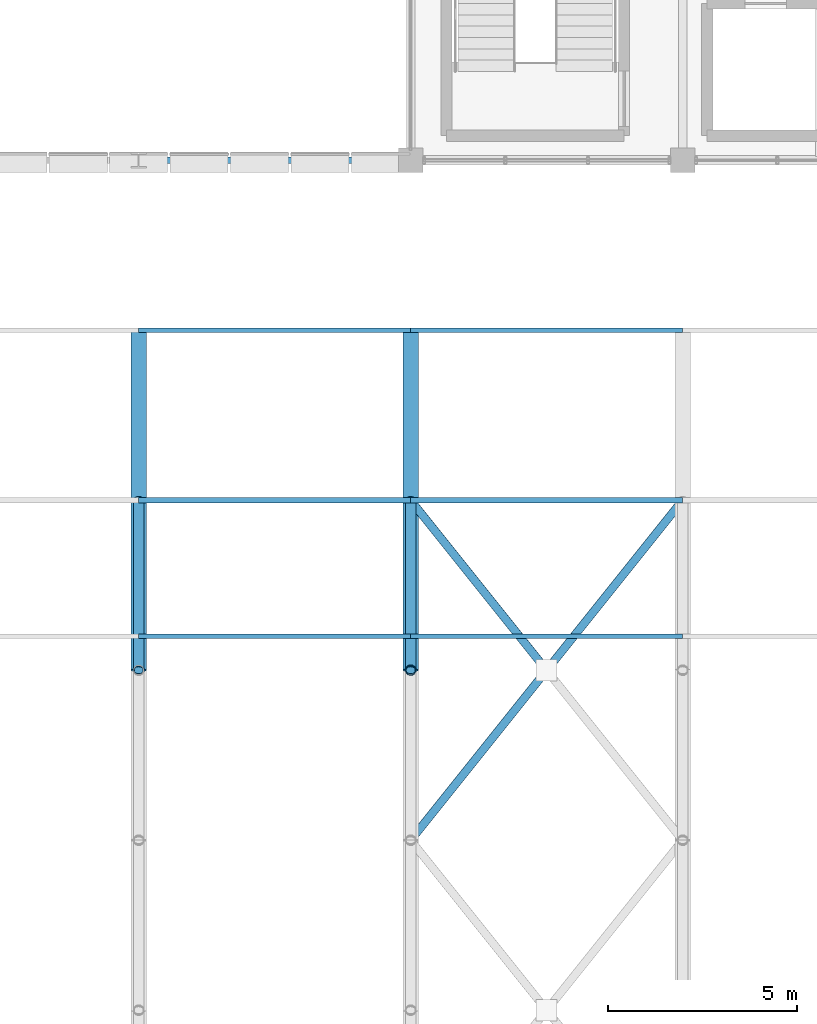
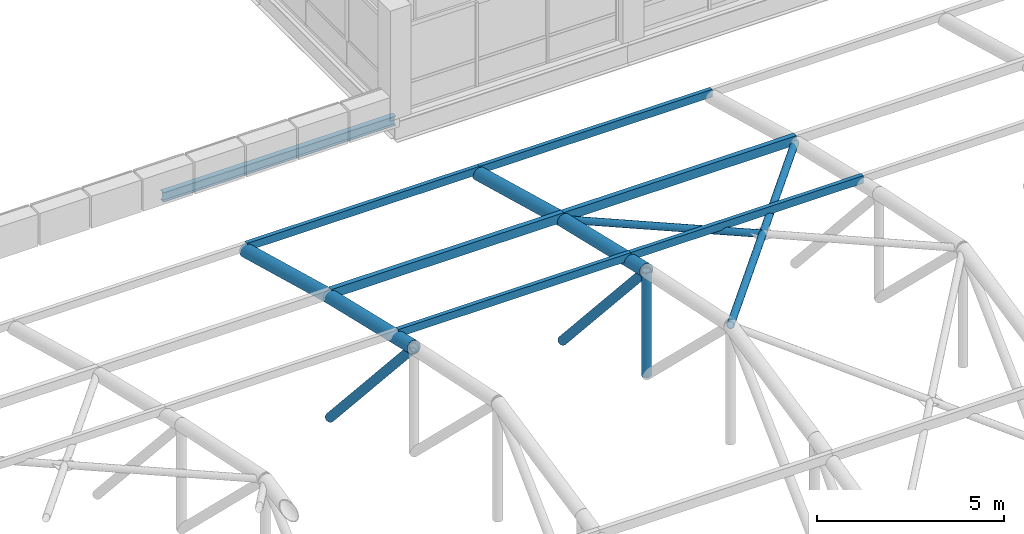
# One storey, part 32 of 96: 15 members, 1 beam.
"""IFC4 building model written with IfcOpenShell, lengths in metres."""

from ifc_helpers import new_model, si_unit, direction, frame, origin, origin_2d, place, context, subcontext, project, spatial, hollow_rectangle, hollow_circle, i_section, extrude, material, material_profile, profile_set, type_object, element, save


model = new_model("IFC4")

# Units and contexts
model_context = context("Model", 3, precision=1e-05, world=origin(), true_north=direction((0.0, 1.0)))
body_context = subcontext(model_context, "Body", "Model", "MODEL_VIEW")
ifc_project = project(units=[si_unit("LENGTHUNIT", "METRE"), si_unit("AREAUNIT", "SQUARE_METRE"), si_unit("VOLUMEUNIT", "CUBIC_METRE"), si_unit("PLANEANGLEUNIT", "RADIAN"), si_unit("MASSUNIT", "GRAM", prefix="KILO")], contexts=[model_context])

# Site, building, storey
site_placement = place(None, origin())
site = spatial("IfcSite", under=ifc_project, at=site_placement, CompositionType="ELEMENT")
building_placement = place(site_placement, origin())
building = spatial("IfcBuilding", under=site, at=building_placement, Name="Yarey Park Central Fire Station", CompositionType="ELEMENT")
storey_placement = place(building_placement, frame((0.0, 0.0, 14.39990234375)))
storey = spatial("IfcBuildingStorey", under=building, at=storey_placement, Name="L04", CompositionType="ELEMENT", Elevation=14.39990234375)

# Members
ifc_material_1 = material(Name="Steel ASTM A500 Gr. C", Category="steel")
ifc_material_profile_1 = material_profile(ifc_material_1, hollow_circle(Radius=0.109619140625, WallThickness=0.010009765625, at=origin_2d()), Name="CHS 219.1x10")
ifc_profile_set_1 = profile_set([ifc_material_profile_1], Name="Steel ASTM A500 Gr. C")
member_type_1 = type_object("IfcMemberType", Name="STR_BRC_CHS219", PredefinedType="BRACE", material=ifc_profile_set_1)
member_1_placement = place(storey_placement, frame((115.199951171875, 75.60009765625, 3.93603515625), z_axis=(0.615531741105, 0.769419894344, -0.170627377286), x_axis=(-0.780870876022, 0.624692464322, 0.0)))
element("IfcMember", 1, at=member_1_placement, inside=storey, type_object=member_type_1, Name="XBR_ARCH_B09_75_1", PredefinedType="BRACE", context=body_context, shape_type="SweptSolid", body=[
    extrude(hollow_circle(Radius=0.109619140625, WallThickness=0.010009765625, at=origin_2d()), origin(), (0.0, 0.0, 1.0), 11.697021484375),
])
member_2_placement = place(storey_placement, frame((118.800048828125, 80.10009765625, 2.93798828125), z_axis=(-0.61554689676, 0.769412749293, -0.170604921135), x_axis=(-0.780860543151, -0.624705380279, 0.0)))
element("IfcMember", 2, at=member_2_placement, inside=storey, type_object=member_type_1, Name="XBR_ARCH_B09_75_2B", PredefinedType="BRACE", context=body_context, shape_type="SweptSolid", body=[
    extrude(hollow_circle(Radius=0.109619140625, WallThickness=0.010009765625, at=origin_2d()), origin(), (0.0, 0.0, 1.0), 5.8486328125),
])
ifc_material_profile_2 = material_profile(ifc_material_1, hollow_circle(Radius=0.203125, WallThickness=0.01611328125, at=origin_2d()), Name="CHS 406.4x16")
ifc_profile_set_2 = profile_set([ifc_material_profile_2], Name="Steel ASTM A500 Gr. C")
member_type_2 = type_object("IfcMemberType", Name="STR_CHORD_CHS406", PredefinedType="CHORD", material=ifc_profile_set_2)
member_3_placement = place(storey_placement, frame((108.0, 80.10009765625, 2.99609375), z_axis=(0.0, 0.97355760432, -0.228441657915), x_axis=(-1.0, 0.0, 0.0)))
element("IfcMember", 3, at=member_3_placement, inside=storey, type_object=member_type_2, Name="Arched Roof Truss ART_08 Top Chord 6", PredefinedType="CHORD", context=body_context, shape_type="SweptSolid", body=[
    extrude(hollow_circle(Radius=0.203125, WallThickness=0.01611328125, at=origin_2d()), origin(), (0.0, 0.0, 1.0), 4.622314453125),
])
member_4_placement = place(storey_placement, frame((108.0, 84.60009765625, 1.940185546875), z_axis=(0.0, 0.965014687101, -0.262195830783), x_axis=(-1.0, 0.0, 0.0)))
element("IfcMember", 4, at=member_4_placement, inside=storey, type_object=member_type_2, Name="Arched Roof Truss ART_08 Top Chord 7", PredefinedType="CHORD", context=body_context, shape_type="SweptSolid", body=[
    extrude(hollow_circle(Radius=0.203125, WallThickness=0.01611328125, at=origin_2d()), origin(), (0.0, 0.0, 1.0), 4.6630859375),
])
member_5_placement = place(storey_placement, frame((115.199951171875, 80.10009765625, 2.99609375), z_axis=(0.0, 0.97355760432, -0.228441657915), x_axis=(-1.0, 0.0, 0.0)))
element("IfcMember", 5, at=member_5_placement, inside=storey, type_object=member_type_2, Name="Arched Roof Truss ART_09 Top Chord 6", PredefinedType="CHORD", context=body_context, shape_type="SweptSolid", body=[
    extrude(hollow_circle(Radius=0.203125, WallThickness=0.01611328125, at=origin_2d()), origin(), (0.0, 0.0, 1.0), 4.622314453125),
])
member_6_placement = place(storey_placement, frame((115.199951171875, 84.60009765625, 1.940185546875), z_axis=(0.0, 0.965014687101, -0.262195830783), x_axis=(-1.0, 0.0, 0.0)))
element("IfcMember", 6, at=member_6_placement, inside=storey, type_object=member_type_2, Name="Arched Roof Truss ART_09 Top Chord 7", PredefinedType="CHORD", context=body_context, shape_type="SweptSolid", body=[
    extrude(hollow_circle(Radius=0.203125, WallThickness=0.01611328125, at=origin_2d()), origin(), (0.0, 0.0, 1.0), 4.6630859375),
])
ifc_material_profile_3 = material_profile(ifc_material_1, hollow_rectangle(XDim=0.125, YDim=0.25, WallThickness=0.008056640625, at=origin_2d()), Name="HSS 250x125x8")
ifc_profile_set_3 = profile_set([ifc_material_profile_3], Name="Steel ASTM A500 Gr. C")
member_type_3 = type_object("IfcMemberType", Name="STR_GIRT_HSS250", PredefinedType="PURLIN", material=ifc_profile_set_3)
for number, where, z_axis, x_axis, name in (
    (7, (108.0, 81.0, 2.947021484375), (1.0, 0.0, 0.0), (0.0, 1.0, 0.0), "PUR_ARCH_B08_6"),
    (8, (108.0, 89.10009765625, 0.856689453125), (1.0, 0.0, 0.0), (0.0, 1.0, 0.0), "PUR_ARCH_B08_8"),
    (9, (115.199951171875, 81.0, 2.947021484375), (1.0, 0.0, 0.0), (0.0, 1.0, 0.0), "PUR_ARCH_B09_6"),
    (10, (115.199951171875, 89.10009765625, 0.856689453125), (1.0, 0.0, 0.0), (0.0, 1.0, 0.0), "PUR_ARCH_B09_8"),
):
    element("IfcMember", number, at=place(storey_placement, frame(where, z_axis=z_axis, x_axis=x_axis)), inside=storey, type_object=member_type_3, Name=name, PredefinedType="PURLIN", context=body_context, shape_type="SweptSolid", body=[
        extrude(hollow_rectangle(XDim=0.125, YDim=0.25, WallThickness=0.008056640625, at=origin_2d()), origin(), (0.0, 0.0, 1.0), 7.199951171875),
    ])
ifc_material_profile_4 = material_profile(ifc_material_1, hollow_rectangle(XDim=0.14990234375, YDim=0.300048828125, WallThickness=0.010009765625, at=origin_2d()), Name="HSS 300x150x10")
ifc_profile_set_4 = profile_set([ifc_material_profile_4], Name="Steel ASTM A500 Gr. C")
member_type_4 = type_object("IfcMemberType", Name="STR_PUR_HSS300", PredefinedType="PURLIN", material=ifc_profile_set_4)
for number, where, z_axis, x_axis, name in (
    (11, (108.0, 84.60009765625, 2.05419921875), (1.0, 0.0, 0.0), (0.0, 1.0, 0.0), "PUR_ARCH_B08_7"),
    (12, (115.199951171875, 84.60009765625, 2.05419921875), (1.0, 0.0, 0.0), (0.0, 1.0, 0.0), "PUR_ARCH_B09_7"),
):
    element("IfcMember", number, at=place(storey_placement, frame(where, z_axis=z_axis, x_axis=x_axis)), inside=storey, type_object=member_type_4, Name=name, PredefinedType="PURLIN", context=body_context, shape_type="SweptSolid", body=[
        extrude(hollow_rectangle(XDim=0.14990234375, YDim=0.300048828125, WallThickness=0.010009765625, at=origin_2d()), origin(), (0.0, 0.0, 1.0), 7.199951171875),
    ])

# Beam
ifc_material_2 = material(Name="Steel ASTM A992 Gr. 50", Category="steel")
ifc_material_profile_5 = material_profile(ifc_material_2, i_section(OverallWidth=0.1650390625, OverallDepth=0.31005859375, WebThickness=0.005859375, FlangeThickness=0.009765625, at=origin_2d()), Name="W310x39")
ifc_profile_set_5 = profile_set([ifc_material_profile_5], Name="Steel ASTM A992 Gr. 50")
beam_type = type_object("IfcBeamType", Name="STR_SPN_W310", PredefinedType="SPANDREL", material=ifc_profile_set_5)
beam_placement = place(storey_placement, frame((108.0, 93.60009765625, -0.23486328125), z_axis=(1.0, 0.0, 0.0), x_axis=(0.0, 1.0, 0.0)))
element("IfcBeam", 13, at=beam_placement, inside=storey, type_object=beam_type, Name="V2 BOX GIRT N M2 08", PredefinedType="SPANDREL", context=body_context, shape_type="SweptSolid", body=[
    extrude(i_section(OverallWidth=0.1650390625, OverallDepth=0.31005859375, WebThickness=0.005859375, FlangeThickness=0.009765625, at=origin_2d()), origin(), (0.0, 0.0, 1.0), 7.199951171875),
])

# Members
ifc_material_profile_6 = material_profile(ifc_material_1, hollow_circle(Radius=0.136474609375, WallThickness=0.012451171875, at=origin_2d()), Name="CHS 273x12.5")
ifc_profile_set_6 = profile_set([ifc_material_profile_6], Name="Steel ASTM A500 Gr. C")
member_type_5 = type_object("IfcMemberType", Name="STR_WEB_CHS273", PredefinedType="BRACE", material=ifc_profile_set_6)
for number, where, z_axis, x_axis, name in (
    (14, (108.0, 80.10009765625, 2.99609375), (0.0, 0.667414870686, -0.744686101916), (-1.0, 0.0, 0.0), "Arched Roof Truss ART_08 Diagonal 6"),
    (15, (115.199951171875, 80.10009765625, 2.99609375), (0.0, 0.667414870686, -0.744686101916), (-1.0, 0.0, 0.0), "Arched Roof Truss ART_09 Diagonal 6"),
):
    element("IfcMember", number, at=place(storey_placement, frame(where, z_axis=z_axis, x_axis=x_axis)), inside=storey, type_object=member_type_5, Name=name, PredefinedType="BRACE", context=body_context, shape_type="SweptSolid", body=[
        extrude(hollow_circle(Radius=0.136474609375, WallThickness=0.012451171875, at=origin_2d()), origin(), (0.0, 0.0, 1.0), 6.742431640625),
    ])
member_7_placement = place(storey_placement, frame((115.199951171875, 80.10009765625, -0.43115234375), z_axis=(0.0, 0.0, 1.0), x_axis=(1.0, 0.0, 0.0)))
element("IfcMember", 16, at=member_7_placement, inside=storey, type_object=member_type_5, Name="Arched Roof Truss ART_09 Vertical 6", PredefinedType="BRACE", context=body_context, shape_type="SweptSolid", body=[
    extrude(hollow_circle(Radius=0.136474609375, WallThickness=0.012451171875, at=origin_2d()), origin(), (0.0, 0.0, 1.0), 3.42724609375),
])

save(model, "model.ifc")
